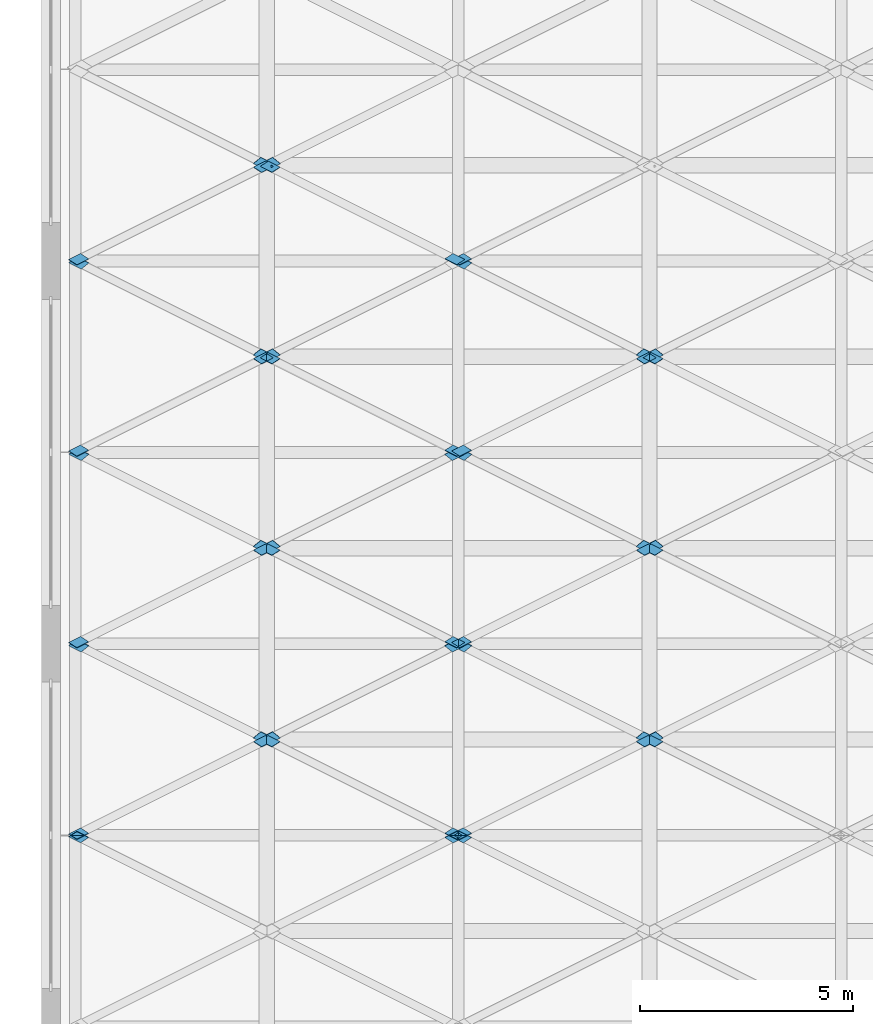
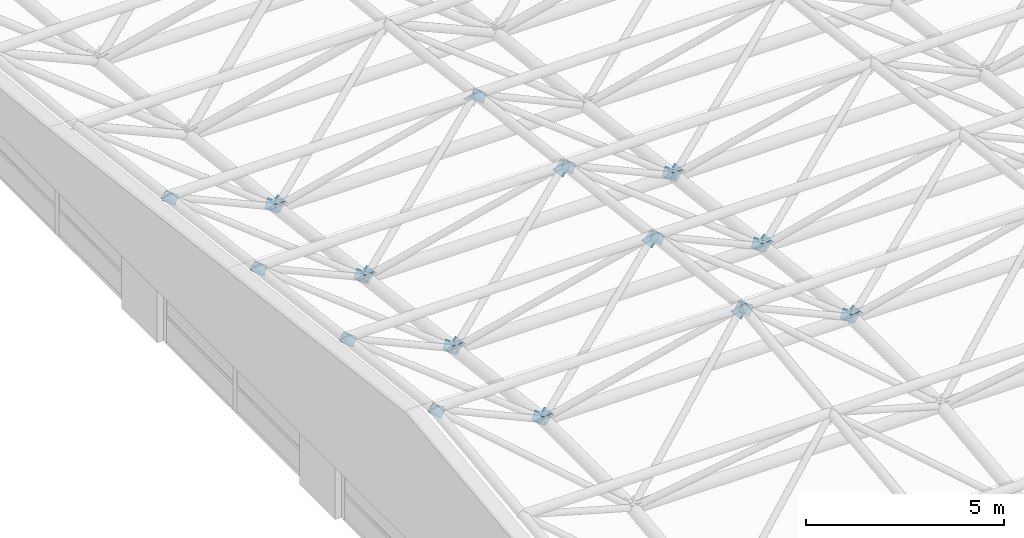
# One storey, part 35 of 53: 51 discrete accessories.
"""IFC4 building model written with IfcOpenShell, lengths in metres."""

from ifc_helpers import new_model, si_unit, direction, frame, origin, place, context, subcontext, project, spatial, polyline, outline, extrude, material, layer, layer_set, type_object, element, save


model = new_model("IFC4")

# Units and contexts
model_context = context("Model", 3, precision=1e-05, world=origin(), true_north=direction((0.0, 1.0)))
body_context = subcontext(model_context, "Body", "Model", "MODEL_VIEW")
ifc_project = project(units=[si_unit("LENGTHUNIT", "METRE"), si_unit("AREAUNIT", "SQUARE_METRE"), si_unit("VOLUMEUNIT", "CUBIC_METRE"), si_unit("PLANEANGLEUNIT", "RADIAN"), si_unit("MASSUNIT", "GRAM", prefix="KILO")], contexts=[model_context])

# Site, building, storey
site_placement = place(None, origin())
site = spatial("IfcSite", under=ifc_project, at=site_placement, CompositionType="ELEMENT")
building_placement = place(site_placement, origin())
building = spatial("IfcBuilding", under=site, at=building_placement, Name="Aravalli Gate Trade Fair Centre", CompositionType="ELEMENT")
storey_placement = place(building_placement, frame((0.0, 0.0, 25.199951171875)))
storey = spatial("IfcBuildingStorey", under=building, at=storey_placement, Name="ROOF LEVEL 2", CompositionType="ELEMENT", Elevation=25.199951171875)

# Discrete accessories
ifc_material = material(Name="Steel E350", Category="steel")
ifc_layer = layer(ifc_material, 0.011962890625)
ifc_layer_set = layer_set([ifc_layer], Name="Steel E350")
discrete_accessory_type = type_object("IfcDiscreteAccessoryType", Name="Gusset plate 291 x 291 x 12", PredefinedType="USERDEFINED", material=ifc_layer_set)
for number, where, z_axis, x_axis, name in (
    (1, (6.121826171875, 77.324462890625, 5.08544921875), (0.000136804439, -0.823750482353, 0.566952488404), (-0.749929392198, 0.374964696099, 0.54498383774), "Gusset plate Space frame web diagonal D3C end A"),
    (2, (15.121826171875, 77.324462890625, 5.08544921875), (0.000136804439, -0.823750482353, 0.566952488404), (-0.749929392198, 0.374964696099, 0.54498383774), "Gusset plate Space frame web diagonal D3C end A"),
):
    element("IfcDiscreteAccessory", number, at=place(storey_placement, frame(where, z_axis=z_axis, x_axis=x_axis)), inside=storey, type_object=discrete_accessory_type, Name=name, ObjectType="GUSSET PLATE", PredefinedType="USERDEFINED", context=body_context, shape_type="SweptSolid", body=[
        extrude(outline(polyline([(0.0, 0.0), (0.37047758647752815, -1.3877787807814457e-17), (0.37050220203048867, -0.2904791260615137), (2.461555296055795e-05, -0.2904791260615137), (0.0, 0.0)])), origin(), (0.0, 0.0, -1.0), 0.011962890625),
    ])
discrete_accessory_1_placement = place(storey_placement, frame((14.68603515625, 77.447998046875, 5.264892578125), z_axis=(-0.000136804439, -0.823750482353, 0.566952488404), x_axis=(0.749929392198, 0.374964696099, 0.54498383774)))
element("IfcDiscreteAccessory", 3, at=discrete_accessory_1_placement, inside=storey, type_object=discrete_accessory_type, Name="Gusset plate Space frame web diagonal D3D end A", ObjectType="GUSSET PLATE", PredefinedType="USERDEFINED", context=body_context, shape_type="SweptSolid", body=[
    extrude(outline(polyline([(0.0, 0.0), (0.37047758647752815, 1.3877787807814457e-17), (0.37045297092456764, -0.2904791260615137), (-2.461555296055795e-05, -0.2904791260615137), (0.0, 0.0)])), origin(), (0.0, 0.0, -1.0), 0.011962890625),
])
discrete_accessory_2_placement = place(storey_placement, frame((6.121826171875, 77.675537109375, 5.08544921875), z_axis=(0.000136804439, 0.823750482353, 0.566952488404), x_axis=(-0.749929392198, -0.374964696099, 0.54498383774)))
element("IfcDiscreteAccessory", 4, at=discrete_accessory_2_placement, inside=storey, type_object=discrete_accessory_type, Name="Gusset plate Space frame web diagonal D4A end A", ObjectType="GUSSET PLATE", PredefinedType="USERDEFINED", context=body_context, shape_type="SweptSolid", body=[
    extrude(outline(polyline([(0.0, 0.0), (0.37047758647752815, 1.3877787807814457e-17), (0.37050220203048867, 0.2904791260615137), (2.461555296055795e-05, 0.2904791260615137), (0.0, 0.0)])), origin(), (0.0, 0.0, -1.0), 0.011962890625),
])
discrete_accessory_3_placement = place(storey_placement, frame((10.18603515625, 79.707763671875, 2.132080078125), z_axis=(0.000136804439, 0.823750482353, 0.566952488404), x_axis=(0.749929392198, 0.374964696099, -0.54498383774)))
element("IfcDiscreteAccessory", 5, at=discrete_accessory_3_placement, inside=storey, type_object=discrete_accessory_type, Name="Gusset plate Space frame web diagonal D4A end B", ObjectType="GUSSET PLATE", PredefinedType="USERDEFINED", context=body_context, shape_type="SweptSolid", body=[
    extrude(outline(polyline([(0.0, 0.0), (0.37047758647752815, 1.3877787807814457e-17), (0.37045297092456764, -0.2904791260615137), (-2.461555296055795e-05, -0.2904791260615137), (0.0, 0.0)])), origin(), (0.0, 0.0, -1.0), 0.011962890625),
])
discrete_accessory_4_placement = place(storey_placement, frame((15.121826171875, 77.675537109375, 5.08544921875), z_axis=(0.000136804439, 0.823750482353, 0.566952488404), x_axis=(-0.749929392198, -0.374964696099, 0.54498383774)))
element("IfcDiscreteAccessory", 6, at=discrete_accessory_4_placement, inside=storey, type_object=discrete_accessory_type, Name="Gusset plate Space frame web diagonal D4A end A", ObjectType="GUSSET PLATE", PredefinedType="USERDEFINED", context=body_context, shape_type="SweptSolid", body=[
    extrude(outline(polyline([(0.0, 0.0), (0.37047758647752815, 1.3877787807814457e-17), (0.37050220203048867, 0.2904791260615137), (2.461555296055795e-05, 0.2904791260615137), (0.0, 0.0)])), origin(), (0.0, 0.0, -1.0), 0.011962890625),
])
discrete_accessory_5_placement = place(storey_placement, frame((19.18603515625, 79.707763671875, 2.132080078125), z_axis=(0.000136804439, 0.823750482353, 0.566952488404), x_axis=(0.749929392198, 0.374964696099, -0.54498383774)))
element("IfcDiscreteAccessory", 7, at=discrete_accessory_5_placement, inside=storey, type_object=discrete_accessory_type, Name="Gusset plate Space frame web diagonal D4A end B", ObjectType="GUSSET PLATE", PredefinedType="USERDEFINED", context=body_context, shape_type="SweptSolid", body=[
    extrude(outline(polyline([(0.0, 0.0), (0.37047758647752815, 1.3877787807814457e-17), (0.37045297092456764, -0.2904791260615137), (-2.461555296055795e-05, -0.2904791260615137), (0.0, 0.0)])), origin(), (0.0, 0.0, -1.0), 0.011962890625),
])
discrete_accessory_6_placement = place(storey_placement, frame((6.121826171875, 82.175537109375, 4.54541015625), z_axis=(0.000136804439, 0.823750482353, 0.566952488404), x_axis=(-0.749929392198, -0.374964696099, 0.54498383774)))
element("IfcDiscreteAccessory", 8, at=discrete_accessory_6_placement, inside=storey, type_object=discrete_accessory_type, Name="Gusset plate Space frame web diagonal D4A end A", ObjectType="GUSSET PLATE", PredefinedType="USERDEFINED", context=body_context, shape_type="SweptSolid", body=[
    extrude(outline(polyline([(0.0, 0.0), (0.37047758647752815, 1.3877787807814457e-17), (0.37050220203048867, 0.2904791260615137), (2.461555296055795e-05, 0.2904791260615137), (0.0, 0.0)])), origin(), (0.0, 0.0, -1.0), 0.011962890625),
])
discrete_accessory_7_placement = place(storey_placement, frame((10.18603515625, 84.207763671875, 1.592041015625), z_axis=(0.000136804439, 0.823750482353, 0.566952488404), x_axis=(0.749929392198, 0.374964696099, -0.54498383774)))
element("IfcDiscreteAccessory", 9, at=discrete_accessory_7_placement, inside=storey, type_object=discrete_accessory_type, Name="Gusset plate Space frame web diagonal D4A end B", ObjectType="GUSSET PLATE", PredefinedType="USERDEFINED", context=body_context, shape_type="SweptSolid", body=[
    extrude(outline(polyline([(0.0, 0.0), (0.37047758647752815, 1.3877787807814457e-17), (0.37045297092456764, -0.2904791260615137), (-2.461555296055795e-05, -0.2904791260615137), (0.0, 0.0)])), origin(), (0.0, 0.0, -1.0), 0.011962890625),
])
discrete_accessory_8_placement = place(storey_placement, frame((15.121826171875, 82.175537109375, 4.54541015625), z_axis=(0.000136804439, 0.823750482353, 0.566952488404), x_axis=(-0.749929392198, -0.374964696099, 0.54498383774)))
element("IfcDiscreteAccessory", 10, at=discrete_accessory_8_placement, inside=storey, type_object=discrete_accessory_type, Name="Gusset plate Space frame web diagonal D4A end A", ObjectType="GUSSET PLATE", PredefinedType="USERDEFINED", context=body_context, shape_type="SweptSolid", body=[
    extrude(outline(polyline([(0.0, 0.0), (0.37047758647752815, 1.3877787807814457e-17), (0.37050220203048867, 0.2904791260615137), (2.461555296055795e-05, 0.2904791260615137), (0.0, 0.0)])), origin(), (0.0, 0.0, -1.0), 0.011962890625),
])
discrete_accessory_9_placement = place(storey_placement, frame((19.18603515625, 84.207763671875, 1.592041015625), z_axis=(0.000136804439, 0.823750482353, 0.566952488404), x_axis=(0.749929392198, 0.374964696099, -0.54498383774)))
element("IfcDiscreteAccessory", 11, at=discrete_accessory_9_placement, inside=storey, type_object=discrete_accessory_type, Name="Gusset plate Space frame web diagonal D4A end B", ObjectType="GUSSET PLATE", PredefinedType="USERDEFINED", context=body_context, shape_type="SweptSolid", body=[
    extrude(outline(polyline([(0.0, 0.0), (0.37047758647752815, 1.3877787807814457e-17), (0.37045297092456764, -0.2904791260615137), (-2.461555296055795e-05, -0.2904791260615137), (0.0, 0.0)])), origin(), (0.0, 0.0, -1.0), 0.011962890625),
])
discrete_accessory_10_placement = place(storey_placement, frame((14.68603515625, 77.552001953125, 5.264892578125), z_axis=(-0.000136804439, 0.823750482353, 0.566952488404), x_axis=(0.749929392198, -0.374964696099, 0.54498383774)))
element("IfcDiscreteAccessory", 12, at=discrete_accessory_10_placement, inside=storey, type_object=discrete_accessory_type, Name="Gusset plate Space frame web diagonal D4B end A", ObjectType="GUSSET PLATE", PredefinedType="USERDEFINED", context=body_context, shape_type="SweptSolid", body=[
    extrude(outline(polyline([(0.0, 0.0), (0.37047758647752815, -1.3877787807814457e-17), (0.37045297092456764, 0.2904791260615137), (-2.461555296055795e-05, 0.2904791260615137), (0.0, 0.0)])), origin(), (0.0, 0.0, -1.0), 0.011962890625),
])
for number, where, z_axis, x_axis, name in (
    (13, (10.621826171875, 79.584228515625, 2.3115234375), (-0.000136804439, 0.823750482353, 0.566952488404), (-0.749929392198, 0.374964696099, -0.54498383774), "Gusset plate Space frame web diagonal D4B end B"),
    (14, (19.621826171875, 79.584228515625, 2.3115234375), (-0.000136804439, 0.823750482353, 0.566952488404), (-0.749929392198, 0.374964696099, -0.54498383774), "Gusset plate Space frame web diagonal D4B end B"),
):
    element("IfcDiscreteAccessory", number, at=place(storey_placement, frame(where, z_axis=z_axis, x_axis=x_axis)), inside=storey, type_object=discrete_accessory_type, Name=name, ObjectType="GUSSET PLATE", PredefinedType="USERDEFINED", context=body_context, shape_type="SweptSolid", body=[
        extrude(outline(polyline([(0.0, 0.0), (0.37047758647752815, -1.3877787807814457e-17), (0.37050220203048867, -0.2904791260615137), (2.461555296055795e-05, -0.2904791260615137), (0.0, 0.0)])), origin(), (0.0, 0.0, -1.0), 0.011962890625),
    ])
discrete_accessory_11_placement = place(storey_placement, frame((14.68603515625, 82.052001953125, 4.724853515625), z_axis=(-0.000136804439, 0.823750482353, 0.566952488404), x_axis=(0.749929392198, -0.374964696099, 0.54498383774)))
element("IfcDiscreteAccessory", 15, at=discrete_accessory_11_placement, inside=storey, type_object=discrete_accessory_type, Name="Gusset plate Space frame web diagonal D4B end A", ObjectType="GUSSET PLATE", PredefinedType="USERDEFINED", context=body_context, shape_type="SweptSolid", body=[
    extrude(outline(polyline([(0.0, 0.0), (0.37047758647752815, -1.3877787807814457e-17), (0.37045297092456764, 0.2904791260615137), (-2.461555296055795e-05, 0.2904791260615137), (0.0, 0.0)])), origin(), (0.0, 0.0, -1.0), 0.011962890625),
])
for number, where, z_axis, x_axis, name in (
    (16, (10.621826171875, 84.084228515625, 1.771484375), (-0.000136804439, 0.823750482353, 0.566952488404), (-0.749929392198, 0.374964696099, -0.54498383774), "Gusset plate Space frame web diagonal D4B end B"),
    (17, (19.621826171875, 84.084228515625, 1.771484375), (-0.000136804439, 0.823750482353, 0.566952488404), (-0.749929392198, 0.374964696099, -0.54498383774), "Gusset plate Space frame web diagonal D4B end B"),
):
    element("IfcDiscreteAccessory", number, at=place(storey_placement, frame(where, z_axis=z_axis, x_axis=x_axis)), inside=storey, type_object=discrete_accessory_type, Name=name, ObjectType="GUSSET PLATE", PredefinedType="USERDEFINED", context=body_context, shape_type="SweptSolid", body=[
        extrude(outline(polyline([(0.0, 0.0), (0.37047758647752815, -1.3877787807814457e-17), (0.37050220203048867, -0.2904791260615137), (2.461555296055795e-05, -0.2904791260615137), (0.0, 0.0)])), origin(), (0.0, 0.0, -1.0), 0.011962890625),
    ])
discrete_accessory_12_placement = place(storey_placement, frame((6.138671875, 81.80859375, 4.567138671875), z_axis=(0.000259688153, -0.77158167438, 0.636130216483), x_axis=(-0.786189750281, 0.392961505637, 0.476955901148)))
element("IfcDiscreteAccessory", 18, at=discrete_accessory_12_placement, inside=storey, type_object=discrete_accessory_type, Name="Gusset plate Space frame web diagonal D4C end A", ObjectType="GUSSET PLATE", PredefinedType="USERDEFINED", context=body_context, shape_type="SweptSolid", body=[
    extrude(outline(polyline([(0.0, 0.0), (0.37047009323158403, 1.3877787807814457e-17), (0.3706453255393415, -0.29059138113822636), (7.929444017017173e-05, -0.29046925152010133), (0.0, 0.0)])), origin(), (0.0, 0.0, -1.0), 0.011962890625),
])
discrete_accessory_13_placement = place(storey_placement, frame((10.181884765625, 79.786865234375, 2.1142578125), z_axis=(0.000259222443, -0.771843687699, 0.635812279342), x_axis=(0.78618965885, -0.392765328311, -0.477117613586)))
element("IfcDiscreteAccessory", 19, at=discrete_accessory_13_placement, inside=storey, type_object=discrete_accessory_type, Name="Gusset plate Space frame web diagonal D4C end B", ObjectType="GUSSET PLATE", PredefinedType="USERDEFINED", context=body_context, shape_type="SweptSolid", body=[
    extrude(outline(polyline([(0.0, 0.0), (0.3704701052045229, 2.7755575615628914e-17), (0.3703907868210381, 0.2904692667840814), (-7.931838348480824e-05, 0.2904692667840814), (0.0, 0.0)])), origin(), (0.0, 0.0, -1.0), 0.011962890625),
])
discrete_accessory_14_placement = place(storey_placement, frame((15.138671875, 81.80859375, 4.567138671875), z_axis=(0.000259688153, -0.77158167438, 0.636130216483), x_axis=(-0.786189750281, 0.392961505637, 0.476955901148)))
element("IfcDiscreteAccessory", 20, at=discrete_accessory_14_placement, inside=storey, type_object=discrete_accessory_type, Name="Gusset plate Space frame web diagonal D4C end A", ObjectType="GUSSET PLATE", PredefinedType="USERDEFINED", context=body_context, shape_type="SweptSolid", body=[
    extrude(outline(polyline([(0.0, 0.0), (0.37047009323158403, 1.3877787807814457e-17), (0.3706453255393415, -0.29059138113822636), (7.929444017017173e-05, -0.29046925152010133), (0.0, 0.0)])), origin(), (0.0, 0.0, -1.0), 0.011962890625),
])
discrete_accessory_15_placement = place(storey_placement, frame((19.181884765625, 79.786865234375, 2.1142578125), z_axis=(0.000259222443, -0.771843687699, 0.635812279342), x_axis=(0.78618965885, -0.392765328311, -0.477117613586)))
element("IfcDiscreteAccessory", 21, at=discrete_accessory_15_placement, inside=storey, type_object=discrete_accessory_type, Name="Gusset plate Space frame web diagonal D4C end B", ObjectType="GUSSET PLATE", PredefinedType="USERDEFINED", context=body_context, shape_type="SweptSolid", body=[
    extrude(outline(polyline([(0.0, 0.0), (0.3704701052045229, 2.7755575615628914e-17), (0.3703907868210381, 0.2904692667840814), (-7.931838348480824e-05, 0.2904692667840814), (0.0, 0.0)])), origin(), (0.0, 0.0, -1.0), 0.011962890625),
])
discrete_accessory_16_placement = place(storey_placement, frame((6.138671875, 86.30859375, 4.027099609375), z_axis=(0.000259688153, -0.77158167438, 0.636130216483), x_axis=(-0.786189750281, 0.392961505637, 0.476955901148)))
element("IfcDiscreteAccessory", 22, at=discrete_accessory_16_placement, inside=storey, type_object=discrete_accessory_type, Name="Gusset plate Space frame web diagonal D4C end A", ObjectType="GUSSET PLATE", PredefinedType="USERDEFINED", context=body_context, shape_type="SweptSolid", body=[
    extrude(outline(polyline([(0.0, 0.0), (0.37047009323158403, 1.3877787807814457e-17), (0.3706453255393415, -0.29059138113822636), (7.929444017017173e-05, -0.29046925152010133), (0.0, 0.0)])), origin(), (0.0, 0.0, -1.0), 0.011962890625),
])
discrete_accessory_17_placement = place(storey_placement, frame((10.181884765625, 84.286865234375, 1.574462890625), z_axis=(0.000589123978, -0.771792295466, 0.635874441689), x_axis=(0.785942550469, -0.392803472142, -0.477493182816)))
element("IfcDiscreteAccessory", 23, at=discrete_accessory_17_placement, inside=storey, type_object=discrete_accessory_type, Name="Gusset plate Space frame web diagonal D4C end B", ObjectType="GUSSET PLATE", PredefinedType="USERDEFINED", context=body_context, shape_type="SweptSolid", body=[
    extrude(outline(polyline([(0.0, 0.0), (0.3705866429803553, 2.7755575615628914e-17), (0.37039124031354775, 0.29046920151748473), (-7.882718272163303e-05, 0.29032116611826925), (0.0, 0.0)])), origin(), (0.0, 0.0, -1.0), 0.011962890625),
])
discrete_accessory_18_placement = place(storey_placement, frame((15.138671875, 86.30859375, 4.027099609375), z_axis=(0.000259688153, -0.77158167438, 0.636130216483), x_axis=(-0.786189750281, 0.392961505637, 0.476955901148)))
element("IfcDiscreteAccessory", 24, at=discrete_accessory_18_placement, inside=storey, type_object=discrete_accessory_type, Name="Gusset plate Space frame web diagonal D4C end A", ObjectType="GUSSET PLATE", PredefinedType="USERDEFINED", context=body_context, shape_type="SweptSolid", body=[
    extrude(outline(polyline([(0.0, 0.0), (0.37047009323158403, 1.3877787807814457e-17), (0.3706453255393415, -0.29059138113822636), (7.929444017017173e-05, -0.29046925152010133), (0.0, 0.0)])), origin(), (0.0, 0.0, -1.0), 0.011962890625),
])
discrete_accessory_19_placement = place(storey_placement, frame((19.181884765625, 84.286865234375, 1.574462890625), z_axis=(0.000589123978, -0.771792295466, 0.635874441689), x_axis=(0.785942550469, -0.392803472142, -0.477493182816)))
element("IfcDiscreteAccessory", 25, at=discrete_accessory_19_placement, inside=storey, type_object=discrete_accessory_type, Name="Gusset plate Space frame web diagonal D4C end B", ObjectType="GUSSET PLATE", PredefinedType="USERDEFINED", context=body_context, shape_type="SweptSolid", body=[
    extrude(outline(polyline([(0.0, 0.0), (0.3705866429803553, 2.7755575615628914e-17), (0.37039124031354775, 0.29046920151748473), (-7.882718272163303e-05, 0.29032116611826925), (0.0, 0.0)])), origin(), (0.0, 0.0, -1.0), 0.011962890625),
])
discrete_accessory_20_placement = place(storey_placement, frame((14.681884765625, 81.953857421875, 4.743408203125), z_axis=(-0.000259688153, -0.77158167438, 0.636130216483), x_axis=(0.785986034617, 0.393126352276, 0.477155765483)))
element("IfcDiscreteAccessory", 26, at=discrete_accessory_20_placement, inside=storey, type_object=discrete_accessory_type, Name="Gusset plate Space frame web diagonal D4D end A", ObjectType="GUSSET PLATE", PredefinedType="USERDEFINED", context=body_context, shape_type="SweptSolid", body=[
    extrude(outline(polyline([(0.0, 0.0), (0.3705660512246577, -1.3877787807814457e-17), (0.3702950470274762, -0.2905913076038385), (-0.0001750260838329909, -0.2904692096111498), (0.0, 0.0)])), origin(), (0.0, 0.0, -1.0), 0.011962890625),
])
for number, where, z_axis, x_axis, name in (
    (27, (10.638671875, 79.93212890625, 2.29052734375), (-0.000259222443, -0.771843687699, 0.635812279342), (-0.78618965885, -0.392765328311, -0.477117613586), "Gusset plate Space frame web diagonal D4D end B"),
    (28, (19.638671875, 79.93212890625, 2.29052734375), (-0.000259222443, -0.771843687699, 0.635812279342), (-0.78618965885, -0.392765328311, -0.477117613586), "Gusset plate Space frame web diagonal D4D end B"),
):
    element("IfcDiscreteAccessory", number, at=place(storey_placement, frame(where, z_axis=z_axis, x_axis=x_axis)), inside=storey, type_object=discrete_accessory_type, Name=name, ObjectType="GUSSET PLATE", PredefinedType="USERDEFINED", context=body_context, shape_type="SweptSolid", body=[
        extrude(outline(polyline([(0.0, 0.0), (0.3704701052045229, -2.7755575615628914e-17), (0.3705494235880077, 0.29046926678408136), (7.931838348480824e-05, 0.2904692667840814), (0.0, 0.0)])), origin(), (0.0, 0.0, -1.0), 0.011962890625),
    ])
discrete_accessory_21_placement = place(storey_placement, frame((14.681884765625, 86.453857421875, 4.203369140625), z_axis=(-0.000259688153, -0.77158167438, 0.636130216483), x_axis=(0.785986034617, 0.393126352276, 0.477155765483)))
element("IfcDiscreteAccessory", 29, at=discrete_accessory_21_placement, inside=storey, type_object=discrete_accessory_type, Name="Gusset plate Space frame web diagonal D4D end A", ObjectType="GUSSET PLATE", PredefinedType="USERDEFINED", context=body_context, shape_type="SweptSolid", body=[
    extrude(outline(polyline([(0.0, 0.0), (0.3705660512246577, -1.3877787807814457e-17), (0.3702950470274762, -0.2905913076038385), (-0.0001750260838329909, -0.2904692096111498), (0.0, 0.0)])), origin(), (0.0, 0.0, -1.0), 0.011962890625),
])
for number, where, z_axis, x_axis, name in (
    (30, (10.638671875, 84.43212890625, 1.75048828125), (-0.000589123978, -0.771792295466, 0.635874441689), (-0.786189552673, -0.392603629975, -0.477250853324), "Gusset plate Space frame web diagonal D4D end B"),
    (31, (19.638671875, 84.43212890625, 1.75048828125), (-0.000589123978, -0.771792295466, 0.635874441689), (-0.786189552673, -0.392603629975, -0.477250853324), "Gusset plate Space frame web diagonal D4D end B"),
):
    element("IfcDiscreteAccessory", number, at=place(storey_placement, frame(where, z_axis=z_axis, x_axis=x_axis)), inside=storey, type_object=discrete_accessory_type, Name=name, ObjectType="GUSSET PLATE", PredefinedType="USERDEFINED", context=body_context, shape_type="SweptSolid", body=[
        extrude(outline(polyline([(0.0, 0.0), (0.3704700970728539, -1.3877787807814457e-17), (0.37054943172141785, 0.29046925640835186), (-3.7181673048419794e-05, 0.2903211744387922), (0.0, 0.0)])), origin(), (0.0, 0.0, -1.0), 0.011962890625),
    ])
discrete_accessory_22_placement = place(storey_placement, frame((6.12158203125, 86.675537109375, 4.005126953125), z_axis=(-5.9235462e-05, 0.824355565608, 0.566072343383), x_axis=(-0.74937131646, -0.374861397834, 0.545821914622)))
element("IfcDiscreteAccessory", 32, at=discrete_accessory_22_placement, inside=storey, type_object=discrete_accessory_type, Name="Gusset plate Space frame web diagonal D5A end A", ObjectType="GUSSET PLATE", PredefinedType="USERDEFINED", context=body_context, shape_type="SweptSolid", body=[
    extrude(outline(polyline([(0.0, 0.0), (0.3704277020236978, 0.0), (0.37073891027907924, 0.290526143046557), (-5.001029550574798e-06, 0.29053697785674903), (0.0, 0.0)])), origin(), (0.0, 0.0, -1.0), 0.011962890625),
])
discrete_accessory_23_placement = place(storey_placement, frame((10.18603515625, 88.707763671875, 1.047119140625), z_axis=(-0.000356491483, 0.824386555112, 0.566027102411), x_axis=(0.749660046124, 0.374830119882, -0.545446786108)))
element("IfcDiscreteAccessory", 33, at=discrete_accessory_23_placement, inside=storey, type_object=discrete_accessory_type, Name="Gusset plate Space frame web diagonal D5A end B", ObjectType="GUSSET PLATE", PredefinedType="USERDEFINED", context=body_context, shape_type="SweptSolid", body=[
    extrude(outline(polyline([(0.0, 0.0), (0.37061069570280314, 0.0), (0.3704262257769532, -0.2905262593825685), (-1.4474536517566916e-06, -0.29068783726431885), (0.0, 0.0)])), origin(), (0.0, 0.0, -1.0), 0.011962890625),
])
discrete_accessory_24_placement = place(storey_placement, frame((15.12158203125, 86.675537109375, 4.005126953125), z_axis=(-5.9235462e-05, 0.824355565608, 0.566072343383), x_axis=(-0.74937131646, -0.374861397834, 0.545821914622)))
element("IfcDiscreteAccessory", 34, at=discrete_accessory_24_placement, inside=storey, type_object=discrete_accessory_type, Name="Gusset plate Space frame web diagonal D5A end A", ObjectType="GUSSET PLATE", PredefinedType="USERDEFINED", context=body_context, shape_type="SweptSolid", body=[
    extrude(outline(polyline([(0.0, 0.0), (0.3704277020236978, 0.0), (0.37073891027907924, 0.290526143046557), (-5.001029550574798e-06, 0.29053697785674903), (0.0, 0.0)])), origin(), (0.0, 0.0, -1.0), 0.011962890625),
])
discrete_accessory_25_placement = place(storey_placement, frame((19.18603515625, 88.707763671875, 1.047119140625), z_axis=(-0.000356491483, 0.824386555112, 0.566027102411), x_axis=(0.749660046124, 0.374830119882, -0.545446786108)))
element("IfcDiscreteAccessory", 35, at=discrete_accessory_25_placement, inside=storey, type_object=discrete_accessory_type, Name="Gusset plate Space frame web diagonal D5A end B", ObjectType="GUSSET PLATE", PredefinedType="USERDEFINED", context=body_context, shape_type="SweptSolid", body=[
    extrude(outline(polyline([(0.0, 0.0), (0.37061069570280314, 0.0), (0.3704262257769532, -0.2905262593825685), (-1.4474536517566916e-06, -0.29068783726431885), (0.0, 0.0)])), origin(), (0.0, 0.0, -1.0), 0.011962890625),
])
discrete_accessory_26_placement = place(storey_placement, frame((6.12158203125, 91.175537109375, 3.455078125), z_axis=(-5.9235462e-05, 0.824355565608, 0.566072343383), x_axis=(-0.74910175115, -0.37503400761, 0.546073309694)))
element("IfcDiscreteAccessory", 36, at=discrete_accessory_26_placement, inside=storey, type_object=discrete_accessory_type, Name="Gusset plate Space frame web diagonal D5A end A", ObjectType="GUSSET PLATE", PredefinedType="USERDEFINED", context=body_context, shape_type="SweptSolid", body=[
    extrude(outline(polyline([(0.0, 0.0), (0.37056099002046733, 1.3877787807814457e-17), (0.3708571273038952, 0.29037522366126584), (0.00024656979283793623, 0.29068772448272373), (0.0, 0.0)])), origin(), (0.0, 0.0, -1.0), 0.011962890625),
])
discrete_accessory_27_placement = place(storey_placement, frame((10.18603515625, 93.207763671875, 0.4970703125), z_axis=(-0.000338926475, 0.824215745649, 0.566275807141), x_axis=(0.749929468437, 0.374811008577, -0.545089442403)))
element("IfcDiscreteAccessory", 37, at=discrete_accessory_27_placement, inside=storey, type_object=discrete_accessory_type, Name="Gusset plate Space frame web diagonal D5A end B", ObjectType="GUSSET PLATE", PredefinedType="USERDEFINED", context=body_context, shape_type="SweptSolid", body=[
    extrude(outline(polyline([(0.0, 0.0), (0.3704775800363668, -1.3877787807814457e-17), (0.37054452148215117, -0.29037536695413646), (0.00011695121776518491, -0.29068780553250784), (0.0, 0.0)])), origin(), (0.0, 0.0, -1.0), 0.011962890625),
])
discrete_accessory_28_placement = place(storey_placement, frame((15.12158203125, 91.175537109375, 3.455078125), z_axis=(-5.9235462e-05, 0.824355565608, 0.566072343383), x_axis=(-0.74910175115, -0.37503400761, 0.546073309694)))
element("IfcDiscreteAccessory", 38, at=discrete_accessory_28_placement, inside=storey, type_object=discrete_accessory_type, Name="Gusset plate Space frame web diagonal D5A end A", ObjectType="GUSSET PLATE", PredefinedType="USERDEFINED", context=body_context, shape_type="SweptSolid", body=[
    extrude(outline(polyline([(0.0, 0.0), (0.37056099002046733, 1.3877787807814457e-17), (0.3708571273038952, 0.29037522366126584), (0.00024656979283793623, 0.29068772448272373), (0.0, 0.0)])), origin(), (0.0, 0.0, -1.0), 0.011962890625),
])
discrete_accessory_29_placement = place(storey_placement, frame((14.68603515625, 86.55224609375, 4.1845703125), z_axis=(5.9235462e-05, 0.824355565608, 0.566072343383), x_axis=(0.749390667151, -0.374849001628, 0.545803860343)))
element("IfcDiscreteAccessory", 39, at=discrete_accessory_29_placement, inside=storey, type_object=discrete_accessory_type, Name="Gusset plate Space frame web diagonal D5B end A", ObjectType="GUSSET PLATE", PredefinedType="USERDEFINED", context=body_context, shape_type="SweptSolid", body=[
    extrude(outline(polyline([(0.0, 0.0), (0.37074391146695085, 0.0), (0.3704411936966931, 0.2905261520174016), (1.3491831181253189e-05, 0.2905369775865267), (0.0, 0.0)])), origin(), (0.0, 0.0, -1.0), 0.011962890625),
])
for number, where, z_axis, x_axis, name in (
    (40, (10.62158203125, 88.58447265625, 1.226806640625), (0.000356491483, 0.824386555112, 0.566027102411), (-0.749371292409, 0.375015088164, -0.54571636384), "Gusset plate Space frame web diagonal D5B end B"),
    (41, (19.62158203125, 88.58447265625, 1.226806640625), (0.000356491483, 0.824386555112, 0.566027102411), (-0.749371292409, 0.375015088164, -0.54571636384), "Gusset plate Space frame web diagonal D5B end B"),
):
    element("IfcDiscreteAccessory", number, at=place(storey_placement, frame(where, z_axis=z_axis, x_axis=x_axis)), inside=storey, type_object=discrete_accessory_type, Name=name, ObjectType="GUSSET PLATE", PredefinedType="USERDEFINED", context=body_context, shape_type="SweptSolid", body=[
        extrude(outline(polyline([(0.0, 0.0), (0.3704277084701571, -1.3877787807814457e-17), (0.3707389038272042, -0.29052615127976134), (0.00012824338136119273, -0.2906878089792164), (0.0, 0.0)])), origin(), (0.0, 0.0, -1.0), 0.011962890625),
    ])
discrete_accessory_30_placement = place(storey_placement, frame((14.68603515625, 91.05224609375, 3.634765625), z_axis=(5.9235462e-05, 0.824355565608, 0.566072343383), x_axis=(0.749660070237, -0.374676343996, 0.545552395598)))
element("IfcDiscreteAccessory", 42, at=discrete_accessory_30_placement, inside=storey, type_object=discrete_accessory_type, Name="Gusset plate Space frame web diagonal D5B end A", ObjectType="GUSSET PLATE", PredefinedType="USERDEFINED", context=body_context, shape_type="SweptSolid", body=[
    extrude(outline(polyline([(0.0, 0.0), (0.3706106892622231, 1.3877787807814457e-17), (0.3705593979521325, 0.2903753701380719), (-1.4603348369723879e-06, 0.29068782905287593), (0.0, 0.0)])), origin(), (0.0, 0.0, -1.0), 0.011962890625),
])
discrete_accessory_31_placement = place(storey_placement, frame((10.62158203125, 93.08447265625, 0.6767578125), z_axis=(0.000338926475, 0.824215745649, 0.566275807141), x_axis=(-0.74937124219, 0.375168906268, -0.545610697428)))
element("IfcDiscreteAccessory", 43, at=discrete_accessory_31_placement, inside=storey, type_object=discrete_accessory_type, Name="Gusset plate Space frame web diagonal D5B end B", ObjectType="GUSSET PLATE", PredefinedType="USERDEFINED", context=body_context, shape_type="SweptSolid", body=[
    extrude(outline(polyline([(0.0, 0.0), (0.3704277020281311, -2.7755575615628914e-17), (0.37060567875441897, -0.29037532012757467), (0.00012823049953920862, -0.29068780077573153), (0.0, 0.0)])), origin(), (0.0, 0.0, -1.0), 0.011962890625),
])
discrete_accessory_32_placement = place(storey_placement, frame((6.138916015625, 90.808349609375, 3.477294921875), z_axis=(-6.9765199e-05, -0.771154883137, 0.636647580178), x_axis=(-0.786484474244, 0.393242254842, 0.476238071536)))
element("IfcDiscreteAccessory", 44, at=discrete_accessory_32_placement, inside=storey, type_object=discrete_accessory_type, Name="Gusset plate Space frame web diagonal D5C end A", ObjectType="GUSSET PLATE", PredefinedType="USERDEFINED", context=body_context, shape_type="SweptSolid", body=[
    extrude(outline(polyline([(0.0, 0.0), (0.37064165383501635, 1.3877787807814457e-17), (0.3706783195979393, -0.29059144692340316), (0.00022867857401766278, -0.2904406632211646), (0.0, 0.0)])), origin(), (0.0, 0.0, -1.0), 0.011962890625),
])
discrete_accessory_33_placement = place(storey_placement, frame((10.181884765625, 88.786865234375, 1.029052734375), z_axis=(-6.9765199e-05, -0.771154883137, 0.636647580178), x_axis=(0.786233023991, -0.393446013556, -0.476484906794)))
element("IfcDiscreteAccessory", 45, at=discrete_accessory_33_placement, inside=storey, type_object=discrete_accessory_type, Name="Gusset plate Space frame web diagonal D5C end B", ObjectType="GUSSET PLATE", PredefinedType="USERDEFINED", context=body_context, shape_type="SweptSolid", body=[
    extrude(outline(polyline([(0.0, 0.0), (0.37044967171058096, 2.7755575615628914e-17), (0.3702947268495056, 0.290591407927876), (-0.0003468962829482891, 0.29044054608337494), (0.0, 0.0)])), origin(), (0.0, 0.0, -1.0), 0.011962890625),
])
discrete_accessory_34_placement = place(storey_placement, frame((15.138916015625, 90.808349609375, 3.477294921875), z_axis=(-6.9765199e-05, -0.771154883137, 0.636647580178), x_axis=(-0.786484474244, 0.393242254842, 0.476238071536)))
element("IfcDiscreteAccessory", 46, at=discrete_accessory_34_placement, inside=storey, type_object=discrete_accessory_type, Name="Gusset plate Space frame web diagonal D5C end A", ObjectType="GUSSET PLATE", PredefinedType="USERDEFINED", context=body_context, shape_type="SweptSolid", body=[
    extrude(outline(polyline([(0.0, 0.0), (0.37064165383501635, 1.3877787807814457e-17), (0.3706783195979393, -0.29059144692340316), (0.00022867857401766278, -0.2904406632211646), (0.0, 0.0)])), origin(), (0.0, 0.0, -1.0), 0.011962890625),
])
discrete_accessory_35_placement = place(storey_placement, frame((19.181884765625, 88.786865234375, 1.029052734375), z_axis=(-6.9765199e-05, -0.771154883137, 0.636647580178), x_axis=(0.786233023991, -0.393446013556, -0.476484906794)))
element("IfcDiscreteAccessory", 47, at=discrete_accessory_35_placement, inside=storey, type_object=discrete_accessory_type, Name="Gusset plate Space frame web diagonal D5C end B", ObjectType="GUSSET PLATE", PredefinedType="USERDEFINED", context=body_context, shape_type="SweptSolid", body=[
    extrude(outline(polyline([(0.0, 0.0), (0.37044967171058096, 2.7755575615628914e-17), (0.3702947268495056, 0.290591407927876), (-0.0003468962829482891, 0.29044054608337494), (0.0, 0.0)])), origin(), (0.0, 0.0, -1.0), 0.011962890625),
])
discrete_accessory_36_placement = place(storey_placement, frame((10.181884765625, 93.286865234375, 0.479248046875), z_axis=(0.000260921892, -0.770886805608, 0.636972106814), x_axis=(0.786233024012, -0.393446097564, -0.476484837392)))
element("IfcDiscreteAccessory", 48, at=discrete_accessory_36_placement, inside=storey, type_object=discrete_accessory_type, Name="Gusset plate Space frame web diagonal D5C end B", ObjectType="GUSSET PLATE", PredefinedType="USERDEFINED", context=body_context, shape_type="SweptSolid", body=[
    extrude(outline(polyline([(0.0, 0.0), (0.3704496717105797, 1.3877787807814457e-17), (0.37041105616888137, 0.29044341854454775), (-0.00023056696357631745, 0.2902925567125407), (0.0, 0.0)])), origin(), (0.0, 0.0, -1.0), 0.011962890625),
])
for number, where, z_axis, x_axis, name in (
    (49, (10.638916015625, 88.932373046875, 1.205322265625), (6.9765199e-05, -0.771154883137, 0.636647580178), (-0.786484474244, -0.393242254842, -0.476238071536), "Gusset plate Space frame web diagonal D5D end B"),
    (50, (19.638916015625, 88.932373046875, 1.205322265625), (6.9765199e-05, -0.771154883137, 0.636647580178), (-0.786484474244, -0.393242254842, -0.476238071536), "Gusset plate Space frame web diagonal D5D end B"),
):
    element("IfcDiscreteAccessory", number, at=place(storey_placement, frame(where, z_axis=z_axis, x_axis=x_axis)), inside=storey, type_object=discrete_accessory_type, Name=name, ObjectType="GUSSET PLATE", PredefinedType="USERDEFINED", context=body_context, shape_type="SweptSolid", body=[
        extrude(outline(polyline([(0.0, 0.0), (0.37064165383501635, -1.3877787807814457e-17), (0.3706783195979393, 0.29059144692340316), (0.00022867857401766278, 0.2904406632211646), (0.0, 0.0)])), origin(), (0.0, 0.0, -1.0), 0.011962890625),
    ])
discrete_accessory_37_placement = place(storey_placement, frame((10.638916015625, 93.432373046875, 0.6552734375), z_axis=(-0.000260921892, -0.770886805608, 0.636972106814), x_axis=(-0.786484474223, -0.393242170877, -0.476238140902)))
element("IfcDiscreteAccessory", 51, at=discrete_accessory_37_placement, inside=storey, type_object=discrete_accessory_type, Name="Gusset plate Space frame web diagonal D5D end B", ObjectType="GUSSET PLATE", PredefinedType="USERDEFINED", context=body_context, shape_type="SweptSolid", body=[
    extrude(outline(polyline([(0.0, 0.0), (0.37064165383501513, -1.3877787807814457e-17), (0.37056205053393565, 0.29044341020294784), (0.00011240951001027788, 0.2902926265131968), (0.0, 0.0)])), origin(), (0.0, 0.0, -1.0), 0.011962890625),
])

save(model, "model.ifc")
